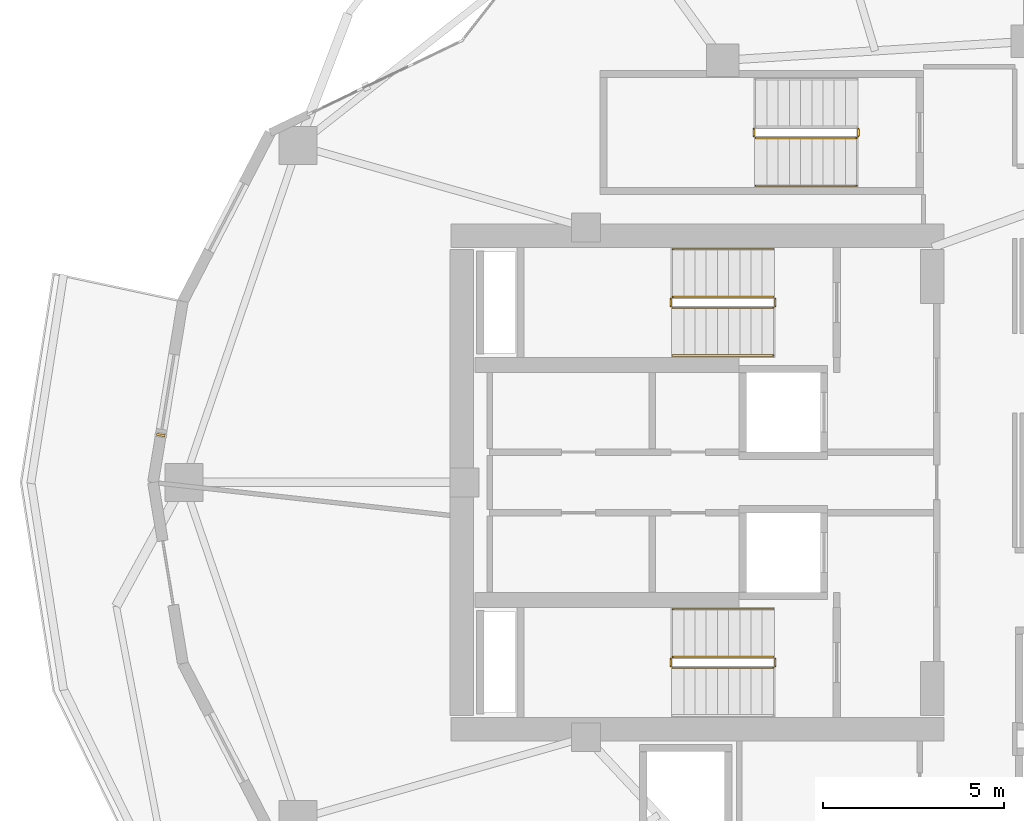
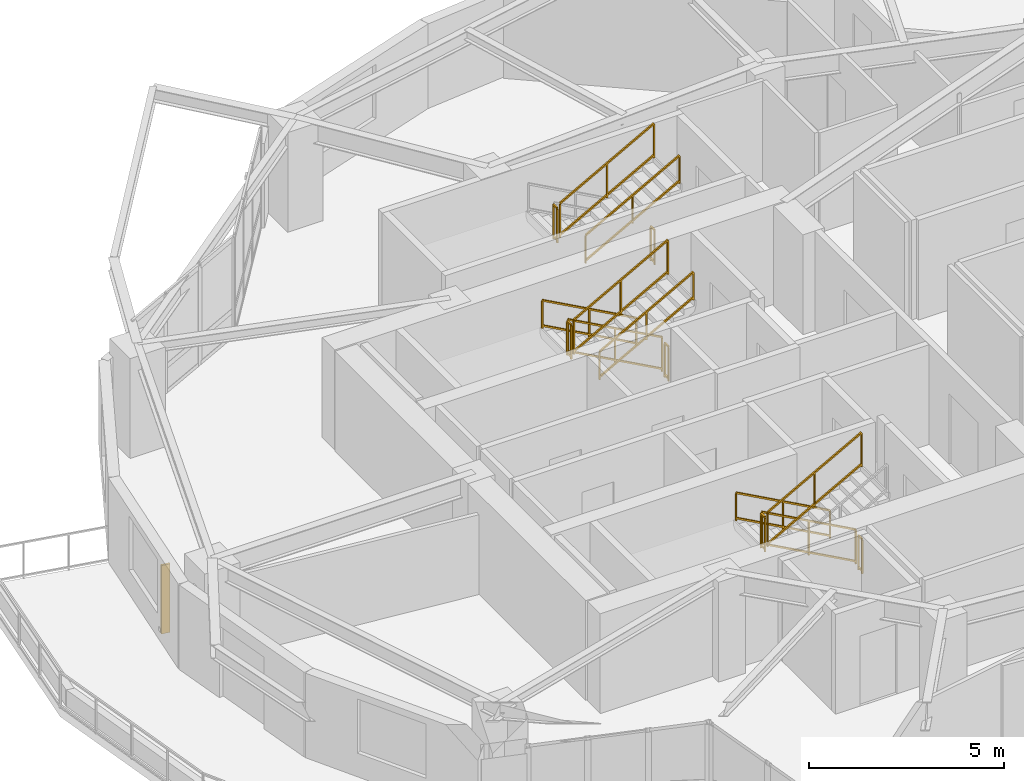
# One storey, part 16 of 18: 15 railings, 1 shading device.
"""IFC4 building model written with IfcOpenShell, lengths in metres."""

from ifc_helpers import new_model, si_unit, direction, frame, origin, origin_2d, place, context, subcontext, project, spatial, rectangle, extrude, material, type_object, element, save


model = new_model("IFC4")

# Units and contexts
model_context = context("Model", 3, precision=1e-05, world=origin(), true_north=direction((0.0, 1.0)))
body_context = subcontext(model_context, "Body", "Model", "MODEL_VIEW")
ifc_project = project(units=[si_unit("LENGTHUNIT", "METRE"), si_unit("AREAUNIT", "SQUARE_METRE"), si_unit("VOLUMEUNIT", "CUBIC_METRE"), si_unit("PLANEANGLEUNIT", "RADIAN"), si_unit("MASSUNIT", "GRAM", prefix="KILO")], contexts=[model_context])

# Site, building, storey
site_placement = place(None, origin())
site = spatial("IfcSite", under=ifc_project, at=site_placement, CompositionType="ELEMENT")
building_placement = place(site_placement, origin())
building = spatial("IfcBuilding", under=site, at=building_placement, Name="Kolvaren Gate Tower and Convention Centre", CompositionType="ELEMENT")
storey_placement = place(building_placement, frame((0.0, 0.0, 115.5)))
storey = spatial("IfcBuildingStorey", under=building, at=storey_placement, Name="L28", CompositionType="ELEMENT", Elevation=115.5)

# Railings
ifc_material_1 = material(Name="Brushed Stainless Steel Grade 316L", Category="steel")
railing_type_1 = type_object("IfcRailingType", Name="ARCH-RL-GUARD-1150", PredefinedType="GUARDRAIL", material=ifc_material_1)
railing_1_placement = place(storey_placement, frame((23.10009765625, 32.1298828125, 0.169921875)))
element("IfcRailing", 1, at=railing_1_placement, inside=storey, type_object=railing_type_1, Name="L28 ST-T1 stair guard 1", PredefinedType="GUARDRAIL", context=body_context, shape_type="SweptSolid", body=[
    extrude(rectangle(XDim=0.048095703125, YDim=0.048095703125, at=origin_2d()), frame((0.0, 0.0, 1.076171875), z_axis=(-0.876811365212, 0.0, 0.480834513982), x_axis=(0.0, -1.0, 0.0)), (0.0, 0.0, 1.0), 3.18212890625),
    extrude(rectangle(XDim=0.048095703125, YDim=0.048095703125, at=origin_2d()), frame((0.0, 0.0, 0.083984375), z_axis=(-0.876811365212, 0.0, 0.480834513982), x_axis=(0.0, -1.0, 0.0)), (0.0, 0.0, 1.0), 3.18212890625),
    extrude(rectangle(XDim=0.0419921875, YDim=0.0419921875, at=origin_2d()), origin(), (0.0, 0.0, 1.0), 1.050048828125),
    extrude(rectangle(XDim=0.0419921875, YDim=0.0419921875, at=origin_2d()), frame((-2.7900390625, 0.0, 1.530029296875)), (0.0, 0.0, 1.0), 1.050048828125),
    extrude(rectangle(XDim=0.0419921875, YDim=0.0419921875, at=origin_2d()), frame((-1.39501953125, 0.0, 0.76513671875)), (0.0, 0.0, 1.0), 1.050048828125),
])
railing_2_placement = place(storey_placement, frame((20.260009765625, 32.080078125, 1.699951171875)))
element("IfcRailing", 2, at=railing_2_placement, inside=storey, type_object=railing_type_1, Name="L28 ST-T1 stair guard 2", PredefinedType="GUARDRAIL", context=body_context, shape_type="SweptSolid", body=[
    extrude(rectangle(XDim=0.048095703125, YDim=0.048095703125, at=origin_2d()), frame((0.0, 0.0, 1.076171875), z_axis=(0.0, -1.0, 0.0), x_axis=(1.0, 0.0, 0.0)), (0.0, 0.0, 1.0), 0.2001953125),
    extrude(rectangle(XDim=0.048095703125, YDim=0.048095703125, at=origin_2d()), frame((0.0, 0.0, 0.083984375), z_axis=(0.0, -1.0, 0.0), x_axis=(1.0, 0.0, 0.0)), (0.0, 0.0, 1.0), 0.2001953125),
    extrude(rectangle(XDim=0.0419921875, YDim=0.0419921875, at=origin_2d()), origin(), (0.0, 0.0, 1.0), 1.050048828125),
    extrude(rectangle(XDim=0.0419921875, YDim=0.0419921875, at=origin_2d()), frame((0.0, -0.2001953125, 0.0)), (0.0, 0.0, 1.0), 1.050048828125),
])
railing_3_placement = place(storey_placement, frame((20.31005859375, 31.830078125, 1.8701171875)))
element("IfcRailing", 3, at=railing_3_placement, inside=storey, type_object=railing_type_1, Name="L28 ST-T1 stair guard 3", PredefinedType="GUARDRAIL", context=body_context, shape_type="SweptSolid", body=[
    extrude(rectangle(XDim=0.048095703125, YDim=0.048095703125, at=origin_2d()), frame((0.0, 0.0, 1.076171875), z_axis=(0.876843711699, 0.0, 0.480775524808), x_axis=(0.0, 1.0, 0.0)), (0.0, 0.0, 1.0), 3.181884765625),
    extrude(rectangle(XDim=0.048095703125, YDim=0.048095703125, at=origin_2d()), frame((0.0, 0.0, 0.083984375), z_axis=(0.876843711699, 0.0, 0.480775524808), x_axis=(0.0, 1.0, 0.0)), (0.0, 0.0, 1.0), 3.181884765625),
    extrude(rectangle(XDim=0.0419921875, YDim=0.0419921875, at=origin_2d()), origin(), (0.0, 0.0, 1.0), 1.050048828125),
    extrude(rectangle(XDim=0.0419921875, YDim=0.0419921875, at=origin_2d()), frame((2.7900390625, 0.0, 1.52978515625)), (0.0, 0.0, 1.0), 1.050048828125),
    extrude(rectangle(XDim=0.0419921875, YDim=0.0419921875, at=origin_2d()), frame((1.39501953125, 0.0, 0.764892578125)), (0.0, 0.0, 1.0), 1.050048828125),
])
railing_4_placement = place(storey_placement, frame((23.14990234375, 32.080078125, 0.0)))
element("IfcRailing", 4, at=railing_4_placement, inside=storey, type_object=railing_type_1, Name="L28 ST-T1 stair guard 4", PredefinedType="GUARDRAIL", context=body_context, shape_type="SweptSolid", body=[
    extrude(rectangle(XDim=0.048095703125, YDim=0.048095703125, at=origin_2d()), frame((0.0, 0.0, 1.076171875), z_axis=(0.0, -1.0, 0.0), x_axis=(1.0, 0.0, 0.0)), (0.0, 0.0, 1.0), 0.2001953125),
    extrude(rectangle(XDim=0.048095703125, YDim=0.048095703125, at=origin_2d()), frame((0.0, 0.0, 0.083984375), z_axis=(0.0, -1.0, 0.0), x_axis=(1.0, 0.0, 0.0)), (0.0, 0.0, 1.0), 0.2001953125),
    extrude(rectangle(XDim=0.0419921875, YDim=0.0419921875, at=origin_2d()), origin(), (0.0, 0.0, 1.0), 1.050048828125),
    extrude(rectangle(XDim=0.0419921875, YDim=0.0419921875, at=origin_2d()), frame((0.0, -0.2001953125, 0.0)), (0.0, 0.0, 1.0), 1.050048828125),
])
railing_5_placement = place(storey_placement, frame((23.10009765625, 22.169921875, 0.169921875)))
element("IfcRailing", 5, at=railing_5_placement, inside=storey, type_object=railing_type_1, Name="L28 ST-T2 stair guard 1", PredefinedType="GUARDRAIL", context=body_context, shape_type="SweptSolid", body=[
    extrude(rectangle(XDim=0.048095703125, YDim=0.048095703125, at=origin_2d()), frame((0.0, 0.0, 1.076171875), z_axis=(-0.876811365212, 0.0, 0.480834513982), x_axis=(0.0, -1.0, 0.0)), (0.0, 0.0, 1.0), 3.18212890625),
    extrude(rectangle(XDim=0.048095703125, YDim=0.048095703125, at=origin_2d()), frame((0.0, 0.0, 0.083984375), z_axis=(-0.876811365212, 0.0, 0.480834513982), x_axis=(0.0, -1.0, 0.0)), (0.0, 0.0, 1.0), 3.18212890625),
    extrude(rectangle(XDim=0.0419921875, YDim=0.0419921875, at=origin_2d()), origin(), (0.0, 0.0, 1.0), 1.050048828125),
    extrude(rectangle(XDim=0.0419921875, YDim=0.0419921875, at=origin_2d()), frame((-2.7900390625, 0.0, 1.530029296875)), (0.0, 0.0, 1.0), 1.050048828125),
    extrude(rectangle(XDim=0.0419921875, YDim=0.0419921875, at=origin_2d()), frame((-1.39501953125, 0.0, 0.76513671875)), (0.0, 0.0, 1.0), 1.050048828125),
])
railing_6_placement = place(storey_placement, frame((20.260009765625, 22.1201171875, 1.699951171875)))
element("IfcRailing", 6, at=railing_6_placement, inside=storey, type_object=railing_type_1, Name="L28 ST-T2 stair guard 2", PredefinedType="GUARDRAIL", context=body_context, shape_type="SweptSolid", body=[
    extrude(rectangle(XDim=0.048095703125, YDim=0.048095703125, at=origin_2d()), frame((0.0, 0.0, 1.076171875), z_axis=(0.0, -1.0, 0.0), x_axis=(1.0, 0.0, 0.0)), (0.0, 0.0, 1.0), 0.2001953125),
    extrude(rectangle(XDim=0.048095703125, YDim=0.048095703125, at=origin_2d()), frame((0.0, 0.0, 0.083984375), z_axis=(0.0, -1.0, 0.0), x_axis=(1.0, 0.0, 0.0)), (0.0, 0.0, 1.0), 0.2001953125),
    extrude(rectangle(XDim=0.0419921875, YDim=0.0419921875, at=origin_2d()), origin(), (0.0, 0.0, 1.0), 1.050048828125),
    extrude(rectangle(XDim=0.0419921875, YDim=0.0419921875, at=origin_2d()), frame((0.0, -0.2001953125, 0.0)), (0.0, 0.0, 1.0), 1.050048828125),
])
railing_7_placement = place(storey_placement, frame((20.31005859375, 21.8701171875, 1.8701171875)))
element("IfcRailing", 7, at=railing_7_placement, inside=storey, type_object=railing_type_1, Name="L28 ST-T2 stair guard 3", PredefinedType="GUARDRAIL", context=body_context, shape_type="SweptSolid", body=[
    extrude(rectangle(XDim=0.048095703125, YDim=0.048095703125, at=origin_2d()), frame((0.0, 0.0, 1.076171875), z_axis=(0.876843711699, 0.0, 0.480775524808), x_axis=(0.0, 1.0, 0.0)), (0.0, 0.0, 1.0), 3.181884765625),
    extrude(rectangle(XDim=0.048095703125, YDim=0.048095703125, at=origin_2d()), frame((0.0, 0.0, 0.083984375), z_axis=(0.876843711699, 0.0, 0.480775524808), x_axis=(0.0, 1.0, 0.0)), (0.0, 0.0, 1.0), 3.181884765625),
    extrude(rectangle(XDim=0.0419921875, YDim=0.0419921875, at=origin_2d()), origin(), (0.0, 0.0, 1.0), 1.050048828125),
    extrude(rectangle(XDim=0.0419921875, YDim=0.0419921875, at=origin_2d()), frame((2.7900390625, 0.0, 1.52978515625)), (0.0, 0.0, 1.0), 1.050048828125),
    extrude(rectangle(XDim=0.0419921875, YDim=0.0419921875, at=origin_2d()), frame((1.39501953125, 0.0, 0.764892578125)), (0.0, 0.0, 1.0), 1.050048828125),
])
railing_8_placement = place(storey_placement, frame((23.14990234375, 22.1201171875, 0.0)))
element("IfcRailing", 8, at=railing_8_placement, inside=storey, type_object=railing_type_1, Name="L28 ST-T2 stair guard 4", PredefinedType="GUARDRAIL", context=body_context, shape_type="SweptSolid", body=[
    extrude(rectangle(XDim=0.048095703125, YDim=0.048095703125, at=origin_2d()), frame((0.0, 0.0, 1.076171875), z_axis=(0.0, -1.0, 0.0), x_axis=(1.0, 0.0, 0.0)), (0.0, 0.0, 1.0), 0.2001953125),
    extrude(rectangle(XDim=0.048095703125, YDim=0.048095703125, at=origin_2d()), frame((0.0, 0.0, 0.083984375), z_axis=(0.0, -1.0, 0.0), x_axis=(1.0, 0.0, 0.0)), (0.0, 0.0, 1.0), 0.2001953125),
    extrude(rectangle(XDim=0.0419921875, YDim=0.0419921875, at=origin_2d()), origin(), (0.0, 0.0, 1.0), 1.050048828125),
    extrude(rectangle(XDim=0.0419921875, YDim=0.0419921875, at=origin_2d()), frame((0.0, -0.2001953125, 0.0)), (0.0, 0.0, 1.0), 1.050048828125),
])
railing_9_placement = place(storey_placement, frame((22.56005859375, 36.780029296875, 1.699951171875)))
element("IfcRailing", 9, at=railing_9_placement, inside=storey, type_object=railing_type_1, Name="L28 ST-T3 stair guard 2", PredefinedType="GUARDRAIL", context=body_context, shape_type="SweptSolid", body=[
    extrude(rectangle(XDim=0.048095703125, YDim=0.048095703125, at=origin_2d()), frame((0.0, 0.0, 1.076171875), z_axis=(0.0, -1.0, 0.0), x_axis=(1.0, 0.0, 0.0)), (0.0, 0.0, 1.0), 0.199951171875),
    extrude(rectangle(XDim=0.048095703125, YDim=0.048095703125, at=origin_2d()), frame((0.0, 0.0, 0.083984375), z_axis=(0.0, -1.0, 0.0), x_axis=(1.0, 0.0, 0.0)), (0.0, 0.0, 1.0), 0.199951171875),
    extrude(rectangle(XDim=0.0419921875, YDim=0.0419921875, at=origin_2d()), origin(), (0.0, 0.0, 1.0), 1.050048828125),
    extrude(rectangle(XDim=0.0419921875, YDim=0.0419921875, at=origin_2d()), frame((0.0, -0.199951171875, 0.0)), (0.0, 0.0, 1.0), 1.050048828125),
])
railing_10_placement = place(storey_placement, frame((22.610107421875, 36.530029296875, 1.8701171875)))
element("IfcRailing", 10, at=railing_10_placement, inside=storey, type_object=railing_type_1, Name="L28 ST-T3 stair guard 3", PredefinedType="GUARDRAIL", context=body_context, shape_type="SweptSolid", body=[
    extrude(rectangle(XDim=0.048095703125, YDim=0.048095703125, at=origin_2d()), frame((0.0, 0.0, 1.076171875), z_axis=(0.876825974686, 0.0, 0.480807872353), x_axis=(0.0, 1.0, 0.0)), (0.0, 0.0, 1.0), 3.181640625),
    extrude(rectangle(XDim=0.048095703125, YDim=0.048095703125, at=origin_2d()), frame((0.0, 0.0, 0.083984375), z_axis=(0.876825974686, 0.0, 0.480807872353), x_axis=(0.0, 1.0, 0.0)), (0.0, 0.0, 1.0), 3.181640625),
    extrude(rectangle(XDim=0.0419921875, YDim=0.0419921875, at=origin_2d()), origin(), (0.0, 0.0, 1.0), 1.050048828125),
    extrude(rectangle(XDim=0.0419921875, YDim=0.0419921875, at=origin_2d()), frame((2.789794921875, 0.0, 1.52978515625)), (0.0, 0.0, 1.0), 1.050048828125),
    extrude(rectangle(XDim=0.0419921875, YDim=0.0419921875, at=origin_2d()), frame((1.39501953125, 0.0, 0.764892578125)), (0.0, 0.0, 1.0), 1.050048828125),
])
railing_11_placement = place(storey_placement, frame((25.449951171875, 36.780029296875, 0.0)))
element("IfcRailing", 11, at=railing_11_placement, inside=storey, type_object=railing_type_1, Name="L28 ST-T3 stair guard 4", PredefinedType="GUARDRAIL", context=body_context, shape_type="SweptSolid", body=[
    extrude(rectangle(XDim=0.048095703125, YDim=0.048095703125, at=origin_2d()), frame((0.0, 0.0, 1.076171875), z_axis=(0.0, -1.0, 0.0), x_axis=(1.0, 0.0, 0.0)), (0.0, 0.0, 1.0), 0.199951171875),
    extrude(rectangle(XDim=0.048095703125, YDim=0.048095703125, at=origin_2d()), frame((0.0, 0.0, 0.083984375), z_axis=(0.0, -1.0, 0.0), x_axis=(1.0, 0.0, 0.0)), (0.0, 0.0, 1.0), 0.199951171875),
    extrude(rectangle(XDim=0.0419921875, YDim=0.0419921875, at=origin_2d()), origin(), (0.0, 0.0, 1.0), 1.050048828125),
    extrude(rectangle(XDim=0.0419921875, YDim=0.0419921875, at=origin_2d()), frame((0.0, -0.199951171875, 0.0)), (0.0, 0.0, 1.0), 1.050048828125),
])
railing_type_2 = type_object("IfcRailingType", Name="ARCH-RL-HANDRAIL-920", PredefinedType="HANDRAIL", material=ifc_material_1)
railing_12_placement = place(storey_placement, frame((23.10009765625, 33.449951171875, 0.169921875)))
element("IfcRailing", 12, at=railing_12_placement, inside=storey, type_object=railing_type_2, Name="L28 ST-T1 stair handrail 1", PredefinedType="HANDRAIL", context=body_context, shape_type="SweptSolid", body=[
    extrude(rectangle(XDim=0.048095703125, YDim=0.048095703125, at=origin_2d()), frame((0.0, 0.0, 0.8759765625), z_axis=(-0.876811365212, 0.0, 0.480834513982), x_axis=(0.0, -1.0, 0.0)), (0.0, 0.0, 1.0), 3.18212890625),
    extrude(rectangle(XDim=0.048095703125, YDim=0.048095703125, at=origin_2d()), frame((0.0, 0.0, 0.083984375), z_axis=(-0.876811365212, 0.0, 0.480834513982), x_axis=(0.0, -1.0, 0.0)), (0.0, 0.0, 1.0), 3.18212890625),
    extrude(rectangle(XDim=0.0419921875, YDim=0.0419921875, at=origin_2d()), origin(), (0.0, 0.0, 1.0), 0.849853515625),
    extrude(rectangle(XDim=0.0419921875, YDim=0.0419921875, at=origin_2d()), frame((-2.7900390625, 0.0, 1.530029296875)), (0.0, 0.0, 1.0), 0.849853515625),
    extrude(rectangle(XDim=0.0419921875, YDim=0.0419921875, at=origin_2d()), frame((-1.39501953125, 0.0, 0.76513671875)), (0.0, 0.0, 1.0), 0.849853515625),
])
railing_13_placement = place(storey_placement, frame((20.31005859375, 30.510009765625, 1.8701171875)))
element("IfcRailing", 13, at=railing_13_placement, inside=storey, type_object=railing_type_2, Name="L28 ST-T1 stair handrail 2", PredefinedType="HANDRAIL", context=body_context, shape_type="SweptSolid", body=[
    extrude(rectangle(XDim=0.048095703125, YDim=0.048095703125, at=origin_2d()), frame((0.0, 0.0, 0.8759765625), z_axis=(0.876843711699, 0.0, 0.480775524808), x_axis=(0.0, 1.0, 0.0)), (0.0, 0.0, 1.0), 3.181884765625),
    extrude(rectangle(XDim=0.048095703125, YDim=0.048095703125, at=origin_2d()), frame((0.0, 0.0, 0.083984375), z_axis=(0.876843711699, 0.0, 0.480775524808), x_axis=(0.0, 1.0, 0.0)), (0.0, 0.0, 1.0), 3.181884765625),
    extrude(rectangle(XDim=0.0419921875, YDim=0.0419921875, at=origin_2d()), origin(), (0.0, 0.0, 1.0), 0.849853515625),
    extrude(rectangle(XDim=0.0419921875, YDim=0.0419921875, at=origin_2d()), frame((2.7900390625, 0.0, 1.52978515625)), (0.0, 0.0, 1.0), 0.849853515625),
    extrude(rectangle(XDim=0.0419921875, YDim=0.0419921875, at=origin_2d()), frame((1.39501953125, 0.0, 0.764892578125)), (0.0, 0.0, 1.0), 0.849853515625),
])
railing_14_placement = place(storey_placement, frame((23.10009765625, 23.489990234375, 0.169921875)))
element("IfcRailing", 14, at=railing_14_placement, inside=storey, type_object=railing_type_2, Name="L28 ST-T2 stair handrail 1", PredefinedType="HANDRAIL", context=body_context, shape_type="SweptSolid", body=[
    extrude(rectangle(XDim=0.048095703125, YDim=0.048095703125, at=origin_2d()), frame((0.0, 0.0, 0.8759765625), z_axis=(-0.876811365212, 0.0, 0.480834513982), x_axis=(0.0, -1.0, 0.0)), (0.0, 0.0, 1.0), 3.18212890625),
    extrude(rectangle(XDim=0.048095703125, YDim=0.048095703125, at=origin_2d()), frame((0.0, 0.0, 0.083984375), z_axis=(-0.876811365212, 0.0, 0.480834513982), x_axis=(0.0, -1.0, 0.0)), (0.0, 0.0, 1.0), 3.18212890625),
    extrude(rectangle(XDim=0.0419921875, YDim=0.0419921875, at=origin_2d()), origin(), (0.0, 0.0, 1.0), 0.849853515625),
    extrude(rectangle(XDim=0.0419921875, YDim=0.0419921875, at=origin_2d()), frame((-2.7900390625, 0.0, 1.530029296875)), (0.0, 0.0, 1.0), 0.849853515625),
    extrude(rectangle(XDim=0.0419921875, YDim=0.0419921875, at=origin_2d()), frame((-1.39501953125, 0.0, 0.76513671875)), (0.0, 0.0, 1.0), 0.849853515625),
])
railing_15_placement = place(storey_placement, frame((22.610107421875, 35.2099609375, 1.8701171875)))
element("IfcRailing", 15, at=railing_15_placement, inside=storey, type_object=railing_type_2, Name="L28 ST-T3 stair handrail 2", PredefinedType="HANDRAIL", context=body_context, shape_type="SweptSolid", body=[
    extrude(rectangle(XDim=0.048095703125, YDim=0.048095703125, at=origin_2d()), frame((0.0, 0.0, 0.8759765625), z_axis=(0.876825974686, 0.0, 0.480807872353), x_axis=(0.0, 1.0, 0.0)), (0.0, 0.0, 1.0), 3.181640625),
    extrude(rectangle(XDim=0.048095703125, YDim=0.048095703125, at=origin_2d()), frame((0.0, 0.0, 0.083984375), z_axis=(0.876825974686, 0.0, 0.480807872353), x_axis=(0.0, 1.0, 0.0)), (0.0, 0.0, 1.0), 3.181640625),
    extrude(rectangle(XDim=0.0419921875, YDim=0.0419921875, at=origin_2d()), origin(), (0.0, 0.0, 1.0), 0.849853515625),
    extrude(rectangle(XDim=0.0419921875, YDim=0.0419921875, at=origin_2d()), frame((2.789794921875, 0.0, 1.52978515625)), (0.0, 0.0, 1.0), 0.849853515625),
    extrude(rectangle(XDim=0.0419921875, YDim=0.0419921875, at=origin_2d()), frame((1.39501953125, 0.0, 0.764892578125)), (0.0, 0.0, 1.0), 0.849853515625),
])

# Shading device
ifc_material_2 = material(Name="Kiln-Fired Bogota Terracotta Ceramic Louvre Profile", Category="masonry")
shading_device_type = type_object("IfcShadingDeviceType", Name="ARCH-SHD-FIN-180", PredefinedType="JALOUSIE", material=ifc_material_2)
shading_device_placement = place(storey_placement, frame((6.1533203125, 28.310302734375, 0.219970703125), z_axis=(0.0, 0.0, 1.0), x_axis=(0.162389178836, 0.986726788223, 0.0)))
element("IfcShadingDevice", 16, at=shading_device_placement, inside=storey, type_object=shading_device_type, Name="Ceramic Vertical Brise-Soleil Fin FN-L28-11", PredefinedType="JALOUSIE", context=body_context, shape_type="SweptSolid", body=[
    extrude(rectangle(XDim=0.06005859375, YDim=0.239990234375, at=origin_2d()), origin(), (0.0, 0.0, 1.0), 2.14990234375),
])

save(model, "model.ifc")
